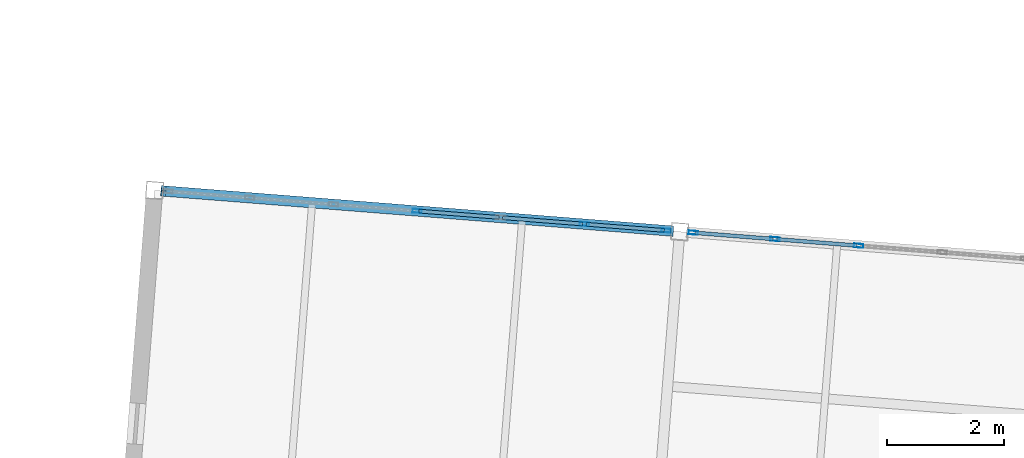
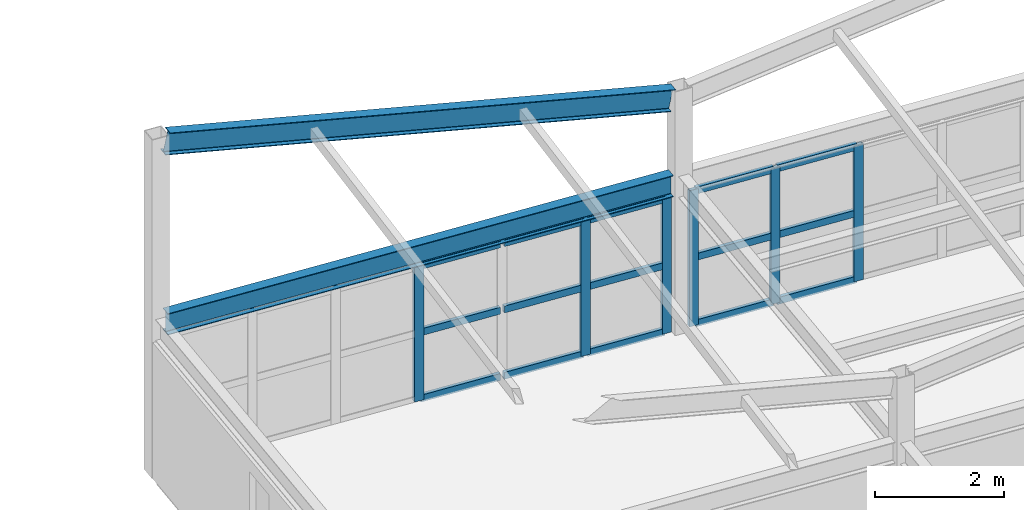
# One storey, part 48 of 127: 21 members, 2 beams, 2 elements without a shape of their own.
"""IFC4 building model written with IfcOpenShell, lengths in metres."""

from ifc_helpers import new_model, si_unit, direction, frame, origin, origin_2d, place, context, subcontext, project, spatial, hollow_rectangle, i_section, extrude, material, material_profile, profile_set, type_object, element, aggregate, save


model = new_model("IFC4")

# Units and contexts
model_context = context("Model", 3, precision=1e-05, world=origin(), true_north=direction((0.0, 1.0)))
body_context = subcontext(model_context, "Body", "Model", "MODEL_VIEW")
ifc_project = project(units=[si_unit("LENGTHUNIT", "METRE"), si_unit("AREAUNIT", "SQUARE_METRE"), si_unit("VOLUMEUNIT", "CUBIC_METRE"), si_unit("PLANEANGLEUNIT", "RADIAN"), si_unit("MASSUNIT", "GRAM", prefix="KILO")], contexts=[model_context])

# Site, building, storey
site_placement = place(None, origin())
site = spatial("IfcSite", under=ifc_project, at=site_placement, CompositionType="ELEMENT")
building_placement = place(site_placement, origin())
building = spatial("IfcBuilding", under=site, at=building_placement, Name="Kestramere Prow Commons", CompositionType="ELEMENT")
storey_placement = place(building_placement, frame((0.0, 0.0, 8.39990234375)))
storey = spatial("IfcBuildingStorey", under=building, at=storey_placement, Name="L02", CompositionType="ELEMENT", Elevation=8.39990234375)

# Beams
ifc_material_1 = material(Name="Steel S355JR", Category="steel")
ifc_material_profile_1 = material_profile(ifc_material_1, i_section(OverallWidth=0.177978515625, OverallDepth=0.406494140625, WebThickness=0.0078125, FlangeThickness=0.0126953125, FilletRadius=0.01025390625, at=origin_2d()), Name="UB 406x178x60")
ifc_profile_set_1 = profile_set([ifc_material_profile_1], Name="Steel S355JR")
beam_type = type_object("IfcBeamType", Name="BM-NR-01 UB 406x178x60 (EX)", PredefinedType="BEAM", material=ifc_profile_set_1)
beam_1_placement = place(storey_placement, frame((70.632568359375, 109.414306640625, 2.796875), z_axis=(0.996917066238, -0.078462494502, 0.0), x_axis=(0.078462494502, 0.996917066238, 0.0)))
element("IfcBeam", 1, at=beam_1_placement, inside=storey, type_object=beam_type, Name="Nursery L02 Beam U 4-1", PredefinedType="BEAM", context=body_context, shape_type="SweptSolid", body=[
    extrude(i_section(OverallWidth=0.177978515625, OverallDepth=0.406494140625, WebThickness=0.0078125, FlangeThickness=0.0126953125, FilletRadius=0.01025390625, at=origin_2d()), origin(), (0.0, 0.0, 1.0), 8.699951171875),
])
beam_2_placement = place(storey_placement, frame((70.632568359375, 109.414306640625, 6.216796875), z_axis=(0.976245390198, -0.076835527403, -0.202586376257), x_axis=(0.078462494502, 0.996917066238, 0.0)))
element("IfcBeam", 2, at=beam_2_placement, inside=storey, type_object=beam_type, Name="Nursery Butterfly Rafter 4-1", PredefinedType="BEAM", context=body_context, shape_type="SweptSolid", body=[
    extrude(i_section(OverallWidth=0.177978515625, OverallDepth=0.406494140625, WebThickness=0.0078125, FlangeThickness=0.0126953125, FilletRadius=0.01025390625, at=origin_2d()), origin(), (0.0, 0.0, 1.0), 8.884033203125),
])

# Curtain wall, members
ifc_material_2 = material(Name="Anodised Aluminium and Low-E Glass", Category="aluminium")
curtain_wall_type = type_object("IfcCurtainWallType", Name="CW-17 Glazed Curtain Wall 8600x2580", PredefinedType="USERDEFINED", material=ifc_material_2)
curtain_wall_1_placement = place(storey_placement, origin())
curtain_wall_1 = element("IfcCurtainWall", 3, at=curtain_wall_1_placement, inside=storey, type_object=curtain_wall_type, Name="Nursery L02 North Garden Glazing 1", ObjectType="GLAZED CURTAIN WALL", PredefinedType="USERDEFINED")
ifc_material_3 = material(Name="Anodised Aluminium 6063-T6", Category="aluminium")
ifc_material_profile_2 = material_profile(ifc_material_3, hollow_rectangle(XDim=0.06494140625, YDim=0.159912109375, WallThickness=0.00390625, at=origin_2d()), Name="ALU-MUL 65x160")
ifc_profile_set_2 = profile_set([ifc_material_profile_2], Name="Anodised Aluminium 6063-T6")
member_type_1 = type_object("IfcMemberType", Name="CW-MUL-65x160", PredefinedType="MULLION", material=ifc_profile_set_2)
member_1_placement = place(storey_placement, frame((74.96923828125, 109.072998046875, 0.0), z_axis=(0.0, 0.0, 1.0), x_axis=(0.078459070568, 0.996917335713, 0.0)))
member_1 = element("IfcMember", 4, at=member_1_placement, type_object=member_type_1, Name="CW-17 mullion 4", PredefinedType="MULLION", context=body_context, shape_type="SweptSolid", body=[
    extrude(hollow_rectangle(XDim=0.06494140625, YDim=0.159912109375, WallThickness=0.00390625, at=origin_2d()), origin(), (0.0, 0.0, 1.0), 2.580078125),
])
member_2_placement = place(storey_placement, frame((77.826904296875, 108.84814453125, 0.0), z_axis=(0.0, 0.0, 1.0), x_axis=(0.078459070568, 0.996917335713, 0.0)))
member_2 = element("IfcMember", 5, at=member_2_placement, type_object=member_type_1, Name="CW-17 mullion 6", PredefinedType="MULLION", context=body_context, shape_type="SweptSolid", body=[
    extrude(hollow_rectangle(XDim=0.06494140625, YDim=0.159912109375, WallThickness=0.00390625, at=origin_2d()), origin(), (0.0, 0.0, 1.0), 2.580078125),
])
member_3_placement = place(storey_placement, frame((79.223388671875, 108.738037109375, 0.0), z_axis=(0.0, 0.0, 1.0), x_axis=(0.078459070568, 0.996917335713, 0.0)))
member_3 = element("IfcMember", 6, at=member_3_placement, type_object=member_type_1, Name="CW-17 mullion 7", PredefinedType="MULLION", context=body_context, shape_type="SweptSolid", body=[
    extrude(hollow_rectangle(XDim=0.06494140625, YDim=0.159912109375, WallThickness=0.00390625, at=origin_2d()), origin(), (0.0, 0.0, 1.0), 2.580078125),
])

curtain_wall_2_placement = place(storey_placement, origin())
curtain_wall_2 = element("IfcCurtainWall", 7, at=curtain_wall_2_placement, inside=storey, type_object=curtain_wall_type, Name="Nursery L02 North Garden Glazing 2", ObjectType="GLAZED CURTAIN WALL", PredefinedType="USERDEFINED")
member_4_placement = place(storey_placement, frame((79.68701171875, 108.70166015625, 0.0), z_axis=(0.0, 0.0, 1.0), x_axis=(0.078459070568, 0.996917335713, 0.0)))
member_4 = element("IfcMember", 8, at=member_4_placement, type_object=member_type_1, Name="CW-17 mullion 1", PredefinedType="MULLION", context=body_context, shape_type="SweptSolid", body=[
    extrude(hollow_rectangle(XDim=0.06494140625, YDim=0.159912109375, WallThickness=0.00390625, at=origin_2d()), origin(), (0.0, 0.0, 1.0), 2.580078125),
])
member_5_placement = place(storey_placement, frame((81.08349609375, 108.591796875, 0.0), z_axis=(0.0, 0.0, 1.0), x_axis=(0.078459070568, 0.996917335713, 0.0)))
member_5 = element("IfcMember", 9, at=member_5_placement, type_object=member_type_1, Name="CW-17 mullion 2", PredefinedType="MULLION", context=body_context, shape_type="SweptSolid", body=[
    extrude(hollow_rectangle(XDim=0.06494140625, YDim=0.159912109375, WallThickness=0.00390625, at=origin_2d()), origin(), (0.0, 0.0, 1.0), 2.580078125),
])
member_6_placement = place(storey_placement, frame((82.512451171875, 108.479248046875, 0.0), z_axis=(0.0, 0.0, 1.0), x_axis=(0.078459070568, 0.996917335713, 0.0)))
member_6 = element("IfcMember", 10, at=member_6_placement, type_object=member_type_1, Name="CW-17 mullion 3", PredefinedType="MULLION", context=body_context, shape_type="SweptSolid", body=[
    extrude(hollow_rectangle(XDim=0.06494140625, YDim=0.159912109375, WallThickness=0.00390625, at=origin_2d()), origin(), (0.0, 0.0, 1.0), 2.580078125),
])

# Member
ifc_material_profile_3 = material_profile(ifc_material_3, hollow_rectangle(XDim=0.06494140625, YDim=0.1298828125, WallThickness=0.00390625, at=origin_2d()), Name="ALU-TRN 65x130")
ifc_profile_set_3 = profile_set([ifc_material_profile_3], Name="Anodised Aluminium 6063-T6")
member_type_2 = type_object("IfcMemberType", Name="CW-TRN-65x130", PredefinedType="USERDEFINED", material=ifc_profile_set_3)
member_7_placement = place(storey_placement, frame((75.00146484375, 109.0703125, 0.03271484375), z_axis=(0.996928280109, -0.078319884568, 0.0), x_axis=(0.078319884568, 0.996928280109, 0.0)))
member_7 = element("IfcMember", 11, at=member_7_placement, type_object=member_type_2, Name="CW-17 transom 4.1", ObjectType="TRANSOM", PredefinedType="USERDEFINED", context=body_context, shape_type="SweptSolid", body=[
    extrude(hollow_rectangle(XDim=0.06494140625, YDim=0.1298828125, WallThickness=0.00390625, at=origin_2d()), origin(), (0.0, 0.0, 1.0), 1.368408203125),
])

member_8_placement = place(storey_placement, frame((75.00146484375, 109.0703125, 1.2900390625), z_axis=(0.996928280109, -0.078319884568, 0.0), x_axis=(0.078319884568, 0.996928280109, 0.0)))
member_8 = element("IfcMember", 12, at=member_8_placement, type_object=member_type_2, Name="CW-17 transom 4.2", ObjectType="TRANSOM", PredefinedType="USERDEFINED", context=body_context, shape_type="SweptSolid", body=[
    extrude(hollow_rectangle(XDim=0.06494140625, YDim=0.1298828125, WallThickness=0.00390625, at=origin_2d()), origin(), (0.0, 0.0, 1.0), 1.368408203125),
])

member_9_placement = place(storey_placement, frame((75.00146484375, 109.0703125, 2.547607421875), z_axis=(0.996928280109, -0.078319884568, 0.0), x_axis=(0.078319884568, 0.996928280109, 0.0)))
member_9 = element("IfcMember", 13, at=member_9_placement, type_object=member_type_2, Name="CW-17 transom 4.3", ObjectType="TRANSOM", PredefinedType="USERDEFINED", context=body_context, shape_type="SweptSolid", body=[
    extrude(hollow_rectangle(XDim=0.06494140625, YDim=0.1298828125, WallThickness=0.00390625, at=origin_2d()), origin(), (0.0, 0.0, 1.0), 1.368408203125),
])

member_10_placement = place(storey_placement, frame((76.430419921875, 108.9580078125, 0.03271484375), z_axis=(0.996914334782, -0.078497191715, 0.0), x_axis=(0.078497191715, 0.996914334782, 0.0)))
member_10 = element("IfcMember", 14, at=member_10_placement, type_object=member_type_2, Name="CW-17 transom 5.1", ObjectType="TRANSOM", PredefinedType="USERDEFINED", context=body_context, shape_type="SweptSolid", body=[
    extrude(hollow_rectangle(XDim=0.06494140625, YDim=0.1298828125, WallThickness=0.00390625, at=origin_2d()), origin(), (0.0, 0.0, 1.0), 1.368408203125),
])

member_11_placement = place(storey_placement, frame((76.430419921875, 108.9580078125, 1.2900390625), z_axis=(0.996914334782, -0.078497191715, 0.0), x_axis=(0.078497191715, 0.996914334782, 0.0)))
member_11 = element("IfcMember", 15, at=member_11_placement, type_object=member_type_2, Name="CW-17 transom 5.2", ObjectType="TRANSOM", PredefinedType="USERDEFINED", context=body_context, shape_type="SweptSolid", body=[
    extrude(hollow_rectangle(XDim=0.06494140625, YDim=0.1298828125, WallThickness=0.00390625, at=origin_2d()), origin(), (0.0, 0.0, 1.0), 1.368408203125),
])

member_12_placement = place(storey_placement, frame((76.430419921875, 108.9580078125, 2.547607421875), z_axis=(0.996914334782, -0.078497191715, 0.0), x_axis=(0.078497191715, 0.996914334782, 0.0)))
member_12 = element("IfcMember", 16, at=member_12_placement, type_object=member_type_2, Name="CW-17 transom 5.3", ObjectType="TRANSOM", PredefinedType="USERDEFINED", context=body_context, shape_type="SweptSolid", body=[
    extrude(hollow_rectangle(XDim=0.06494140625, YDim=0.1298828125, WallThickness=0.00390625, at=origin_2d()), origin(), (0.0, 0.0, 1.0), 1.368408203125),
])

member_13_placement = place(storey_placement, frame((77.859375, 108.845458984375, 0.03271484375), z_axis=(0.996921875006, -0.078401372022, 0.0), x_axis=(0.078401372022, 0.996921875006, 0.0)))
member_13 = element("IfcMember", 17, at=member_13_placement, type_object=member_type_2, Name="CW-17 transom 6.1", ObjectType="TRANSOM", PredefinedType="USERDEFINED", context=body_context, shape_type="SweptSolid", body=[
    extrude(hollow_rectangle(XDim=0.06494140625, YDim=0.1298828125, WallThickness=0.00390625, at=origin_2d()), origin(), (0.0, 0.0, 1.0), 1.3359375),
])

member_14_placement = place(storey_placement, frame((77.859375, 108.845458984375, 1.2900390625), z_axis=(0.996921875006, -0.078401372022, 0.0), x_axis=(0.078401372022, 0.996921875006, 0.0)))
member_14 = element("IfcMember", 18, at=member_14_placement, type_object=member_type_2, Name="CW-17 transom 6.2", ObjectType="TRANSOM", PredefinedType="USERDEFINED", context=body_context, shape_type="SweptSolid", body=[
    extrude(hollow_rectangle(XDim=0.06494140625, YDim=0.1298828125, WallThickness=0.00390625, at=origin_2d()), origin(), (0.0, 0.0, 1.0), 1.3359375),
])

member_15_placement = place(storey_placement, frame((77.859375, 108.845458984375, 2.547607421875), z_axis=(0.996921875006, -0.078401372022, 0.0), x_axis=(0.078401372022, 0.996921875006, 0.0)))
member_15 = element("IfcMember", 19, at=member_15_placement, type_object=member_type_2, Name="CW-17 transom 6.3", ObjectType="TRANSOM", PredefinedType="USERDEFINED", context=body_context, shape_type="SweptSolid", body=[
    extrude(hollow_rectangle(XDim=0.06494140625, YDim=0.1298828125, WallThickness=0.00390625, at=origin_2d()), origin(), (0.0, 0.0, 1.0), 1.3359375),
])

aggregate(curtain_wall_1, [member_1, member_2, member_3, member_7, member_8, member_9, member_10, member_11, member_12, member_13, member_14, member_15])

member_16_placement = place(storey_placement, frame((79.719482421875, 108.698974609375, 0.03271484375), z_axis=(0.996921875006, -0.078401372022, 0.0), x_axis=(0.078401372022, 0.996921875006, 0.0)))
member_16 = element("IfcMember", 20, at=member_16_placement, type_object=member_type_2, Name="CW-17 transom 1.1", ObjectType="TRANSOM", PredefinedType="USERDEFINED", context=body_context, shape_type="SweptSolid", body=[
    extrude(hollow_rectangle(XDim=0.06494140625, YDim=0.1298828125, WallThickness=0.00390625, at=origin_2d()), origin(), (0.0, 0.0, 1.0), 1.3359375),
])

member_17_placement = place(storey_placement, frame((79.719482421875, 108.698974609375, 1.2900390625), z_axis=(0.996921875006, -0.078401372022, 0.0), x_axis=(0.078401372022, 0.996921875006, 0.0)))
member_17 = element("IfcMember", 21, at=member_17_placement, type_object=member_type_2, Name="CW-17 transom 1.2", ObjectType="TRANSOM", PredefinedType="USERDEFINED", context=body_context, shape_type="SweptSolid", body=[
    extrude(hollow_rectangle(XDim=0.06494140625, YDim=0.1298828125, WallThickness=0.00390625, at=origin_2d()), origin(), (0.0, 0.0, 1.0), 1.3359375),
])

member_18_placement = place(storey_placement, frame((79.719482421875, 108.698974609375, 2.547607421875), z_axis=(0.996921875006, -0.078401372022, 0.0), x_axis=(0.078401372022, 0.996921875006, 0.0)))
member_18 = element("IfcMember", 22, at=member_18_placement, type_object=member_type_2, Name="CW-17 transom 1.3", ObjectType="TRANSOM", PredefinedType="USERDEFINED", context=body_context, shape_type="SweptSolid", body=[
    extrude(hollow_rectangle(XDim=0.06494140625, YDim=0.1298828125, WallThickness=0.00390625, at=origin_2d()), origin(), (0.0, 0.0, 1.0), 1.3359375),
])

member_19_placement = place(storey_placement, frame((81.115966796875, 108.589111328125, 0.03271484375), z_axis=(0.996927185479, -0.078333816793, 0.0), x_axis=(0.078333816793, 0.996927185479, 0.0)))
member_19 = element("IfcMember", 23, at=member_19_placement, type_object=member_type_2, Name="CW-17 transom 2.1", ObjectType="TRANSOM", PredefinedType="USERDEFINED", context=body_context, shape_type="SweptSolid", body=[
    extrude(hollow_rectangle(XDim=0.06494140625, YDim=0.1298828125, WallThickness=0.00390625, at=origin_2d()), origin(), (0.0, 0.0, 1.0), 1.3681640625),
])

member_20_placement = place(storey_placement, frame((81.115966796875, 108.589111328125, 1.2900390625), z_axis=(0.996927185479, -0.078333816793, 0.0), x_axis=(0.078333816793, 0.996927185479, 0.0)))
member_20 = element("IfcMember", 24, at=member_20_placement, type_object=member_type_2, Name="CW-17 transom 2.2", ObjectType="TRANSOM", PredefinedType="USERDEFINED", context=body_context, shape_type="SweptSolid", body=[
    extrude(hollow_rectangle(XDim=0.06494140625, YDim=0.1298828125, WallThickness=0.00390625, at=origin_2d()), origin(), (0.0, 0.0, 1.0), 1.3681640625),
])

member_21_placement = place(storey_placement, frame((81.115966796875, 108.589111328125, 2.547607421875), z_axis=(0.996927185479, -0.078333816793, 0.0), x_axis=(0.078333816793, 0.996927185479, 0.0)))
member_21 = element("IfcMember", 25, at=member_21_placement, type_object=member_type_2, Name="CW-17 transom 2.3", ObjectType="TRANSOM", PredefinedType="USERDEFINED", context=body_context, shape_type="SweptSolid", body=[
    extrude(hollow_rectangle(XDim=0.06494140625, YDim=0.1298828125, WallThickness=0.00390625, at=origin_2d()), origin(), (0.0, 0.0, 1.0), 1.3681640625),
])

aggregate(curtain_wall_2, [member_4, member_5, member_6, member_16, member_17, member_18, member_19, member_20, member_21])

save(model, "model.ifc")
